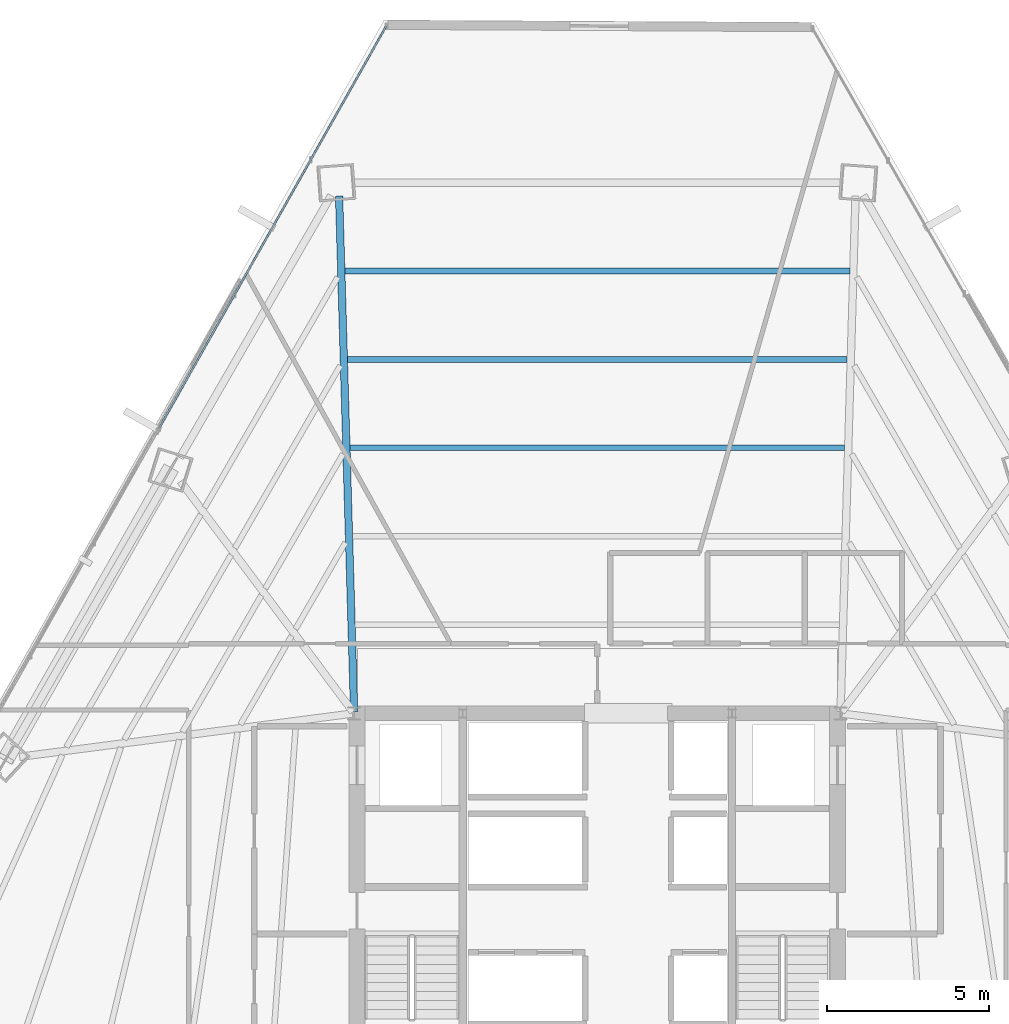
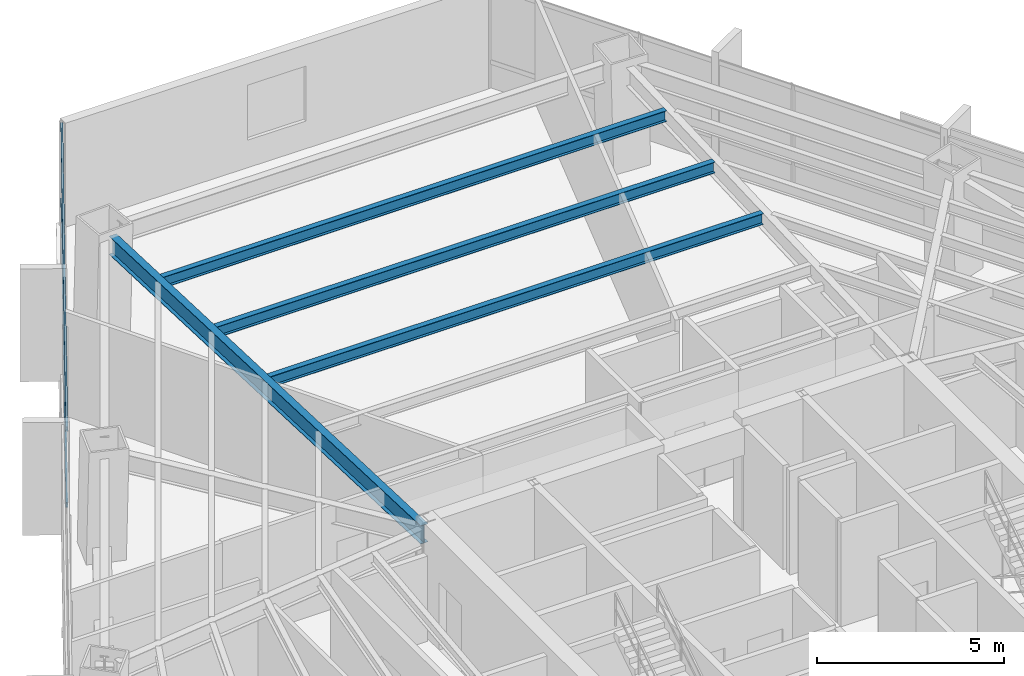
# One storey, part 25 of 36: 4 beams, 2 members, 1 element without a shape of its own.
"""IFC4 building model written with IfcOpenShell, lengths in metres."""

from ifc_helpers import new_model, si_unit, direction, frame, origin, origin_2d, place, context, subcontext, project, spatial, hollow_rectangle, i_section, extrude, source, transform, mapped, material, material_profile, profile_set, type_object, type_shapes, element, aggregate, save


model = new_model("IFC4")

# Units and contexts
model_context = context("Model", 3, precision=1e-05, world=origin(), true_north=direction((0.0, 1.0)))
body_context = subcontext(model_context, "Body", "Model", "MODEL_VIEW")
ifc_project = project(units=[si_unit("LENGTHUNIT", "METRE"), si_unit("AREAUNIT", "SQUARE_METRE"), si_unit("VOLUMEUNIT", "CUBIC_METRE"), si_unit("PLANEANGLEUNIT", "RADIAN"), si_unit("MASSUNIT", "GRAM", prefix="KILO")], contexts=[model_context])

# Site, building, storey
site_placement = place(None, origin())
site = spatial("IfcSite", under=ifc_project, at=site_placement, CompositionType="ELEMENT")
building_placement = place(site_placement, origin())
building = spatial("IfcBuilding", under=site, at=building_placement, Name="Caelisora Broadcast Tower", CompositionType="ELEMENT")
storey_placement = place(building_placement, frame((0.0, 0.0, 79.85009765625)))
storey = spatial("IfcBuildingStorey", under=building, at=storey_placement, Name="L20", CompositionType="ELEMENT", Elevation=79.85009765625)

# Beams
ifc_material_1 = material(Name="Steel Grade 350 (AS/NZS 3679.1)", Category="steel")
ifc_material_profile_1 = material_profile(ifc_material_1, i_section(OverallWidth=0.22802734375, OverallDepth=0.602294921875, WebThickness=0.010498046875, FlangeThickness=0.014892578125, at=origin_2d()), Name="Steel Grade 350 (AS/NZS 3679.1)")
ifc_profile_set_1 = profile_set([ifc_material_profile_1], Name="Steel Grade 350 (AS/NZS 3679.1)")
beam_type_1 = type_object("IfcBeamType", Name="PG04", PredefinedType="BEAM", material=ifc_profile_set_1)
shared_shape_1 = source(origin(), body_context, "Body", "SweptSolid", [
    extrude(i_section(OverallWidth=0.22802734375, OverallDepth=0.602294921875, WebThickness=0.010498046875, FlangeThickness=0.014892578125, at=origin_2d()), origin(), (0.0, 0.0, 1.0), 15.8974609375),
])
type_shapes(beam_type_1, [shared_shape_1])
beam_1_placement = place(storey_placement, frame((30.498291015625, 30.06005859375, 3.098876953125), z_axis=(-0.029086753799, 0.999576890866, 0.0), x_axis=(-0.999576890866, -0.029086753799, 0.0)))
element("IfcBeam", 1, at=beam_1_placement, inside=storey, type_object=beam_type_1, Name="L20 beam PG04", PredefinedType="BEAM", context=body_context, shape_type="MappedRepresentation", body=[
    mapped(shared_shape_1, transform((0.0, 0.0, 0.0), scale=1.0)),
])
ifc_material_profile_2 = material_profile(ifc_material_1, i_section(OverallWidth=0.172119140625, OverallDepth=0.358642578125, WebThickness=0.008056640625, FlangeThickness=0.012939453125, at=origin_2d()), Name="Steel Grade 350 (AS/NZS 3679.1)")
ifc_profile_set_2 = profile_set([ifc_material_profile_2], Name="Steel Grade 350 (AS/NZS 3679.1)")
beam_type_2 = type_object("IfcBeamType", Name="SB02", PredefinedType="JOIST", material=ifc_profile_set_2)
shared_shape_2 = source(origin(), body_context, "Body", "SweptSolid", [
    extrude(i_section(OverallWidth=0.172119140625, OverallDepth=0.358642578125, WebThickness=0.008056640625, FlangeThickness=0.012939453125, at=origin_2d()), origin(), (0.0, 0.0, 1.0), 15.25439453125),
])
beam_2_placement = place(storey_placement, frame((45.627197265625, 38.185302734375, 3.220703125), z_axis=(-1.0, 0.0, 0.0), x_axis=(0.0, -1.0, 0.0)))
element("IfcBeam", 2, at=beam_2_placement, inside=storey, type_object=beam_type_2, Name="L20 beam SB02", PredefinedType="JOIST", context=body_context, shape_type="MappedRepresentation", body=[
    mapped(shared_shape_2, transform((0.0, 0.0, 0.0), scale=1.0)),
])
shared_shape_3 = source(origin(), body_context, "Body", "SweptSolid", [
    extrude(i_section(OverallWidth=0.172119140625, OverallDepth=0.358642578125, WebThickness=0.008056640625, FlangeThickness=0.012939453125, at=origin_2d()), origin(), (0.0, 0.0, 1.0), 15.4130859375),
])
beam_3_placement = place(storey_placement, frame((45.70654296875, 40.91357421875, 3.220703125), z_axis=(-1.0, 0.0, 0.0), x_axis=(0.0, -1.0, 0.0)))
element("IfcBeam", 3, at=beam_3_placement, inside=storey, type_object=beam_type_2, Name="L20 beam SB02", PredefinedType="JOIST", context=body_context, shape_type="MappedRepresentation", body=[
    mapped(shared_shape_3, transform((0.0, 0.0, 0.0), scale=1.0)),
])
shared_shape_4 = source(origin(), body_context, "Body", "SweptSolid", [
    extrude(i_section(OverallWidth=0.172119140625, OverallDepth=0.358642578125, WebThickness=0.008056640625, FlangeThickness=0.012939453125, at=origin_2d()), origin(), (0.0, 0.0, 1.0), 15.57177734375),
])
type_shapes(beam_type_2, [shared_shape_2, shared_shape_3, shared_shape_4])
beam_4_placement = place(storey_placement, frame((45.785888671875, 43.64208984375, 3.220703125), z_axis=(-1.0, 0.0, 0.0), x_axis=(0.0, -1.0, 0.0)))
element("IfcBeam", 4, at=beam_4_placement, inside=storey, type_object=beam_type_2, Name="L20 beam SB02", PredefinedType="JOIST", context=body_context, shape_type="MappedRepresentation", body=[
    mapped(shared_shape_4, transform((0.0, 0.0, 0.0), scale=1.0)),
])

# Curtain wall, members
ifc_material_2 = material(Name="Unitised Aluminium and Low-E Glass Curtain Wall", Category="glass")
curtain_wall_type = type_object("IfcCurtainWallType", Name="CW-Z2", PredefinedType="NOTDEFINED", material=ifc_material_2)
curtain_wall_placement = place(storey_placement, origin())
curtain_wall = element("IfcCurtainWall", 5, at=curtain_wall_placement, inside=storey, type_object=curtain_wall_type, Name="L20 curtain wall CW-Z2", PredefinedType="NOTDEFINED")
ifc_material_3 = material(Name="Aluminium 6063-T6 Anodised Terracotta Bronze", Category="aluminium")
ifc_material_profile_3 = material_profile(ifc_material_3, hollow_rectangle(XDim=0.06005859375, YDim=0.14990234375, WallThickness=0.00341796875, at=origin_2d()), Name="Aluminium 6063-T6 Anodised Terracotta Bronze")
ifc_profile_set_3 = profile_set([ifc_material_profile_3], Name="Aluminium 6063-T6 Anodised Terracotta Bronze")
member_type = type_object("IfcMemberType", Name="CWT-02", PredefinedType="USERDEFINED", material=ifc_profile_set_3)
shared_shape_5 = source(origin(), body_context, "Body", "SweptSolid", [
    extrude(hollow_rectangle(XDim=0.06005859375, YDim=0.14990234375, WallThickness=0.00341796875, at=origin_2d()), origin(), (0.0, 0.0, 1.0), 14.233154296875),
])
type_shapes(member_type, [shared_shape_5])
member_1_placement = place(storey_placement, frame((24.486083984375, 38.797607421875, 0.849853515625), z_axis=(0.491823242766, 0.870695065953, 0.0), x_axis=(-0.870695065953, 0.491823242766, 0.0)))
member_1 = element("IfcMember", 6, at=member_1_placement, type_object=member_type, Name="L20-CW-B11 transom #1", ObjectType="TRANSOM", PredefinedType="USERDEFINED", context=body_context, shape_type="MappedRepresentation", body=[
    mapped(shared_shape_5, transform((0.0, 0.0, 0.0), scale=1.0)),
])
member_2_placement = place(storey_placement, frame((24.486083984375, 38.797607421875, 3.31982421875), z_axis=(0.491823242766, 0.870695065953, 0.0), x_axis=(-0.870695065953, 0.491823242766, 0.0)))
member_2 = element("IfcMember", 7, at=member_2_placement, type_object=member_type, Name="L20-CW-B11 transom #2", ObjectType="TRANSOM", PredefinedType="USERDEFINED", context=body_context, shape_type="MappedRepresentation", body=[
    mapped(shared_shape_5, transform((0.0, 0.0, 0.0), scale=1.0)),
])
aggregate(curtain_wall, [member_1, member_2])

save(model, "model.ifc")
